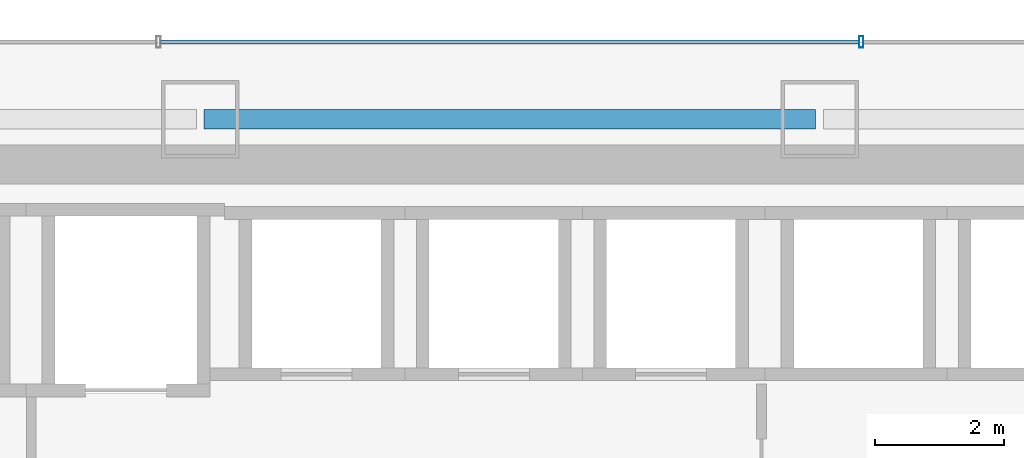
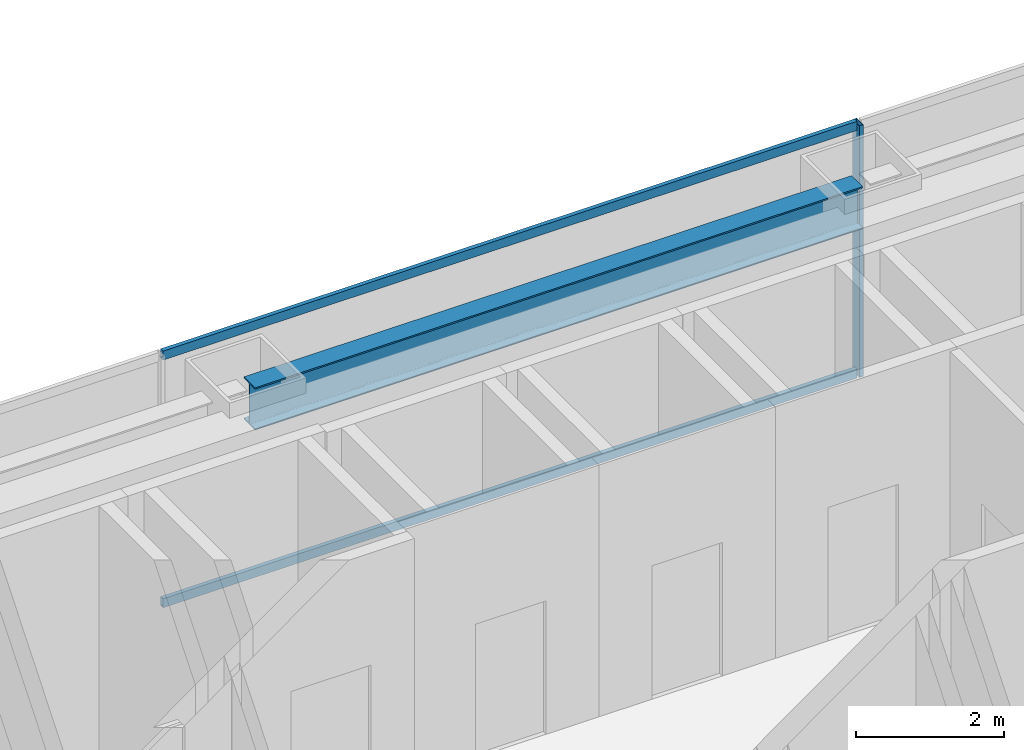
# One storey, part 28 of 47: 3 members, 1 beam, 1 element without a shape of its own.
"""IFC4 building model written with IfcOpenShell, lengths in metres."""

from ifc_helpers import new_model, si_unit, direction, frame, origin, origin_2d, place, context, subcontext, project, spatial, hollow_rectangle, i_section, extrude, material, material_profile, profile_set, type_object, element, aggregate, save


model = new_model("IFC4")

# Units and contexts
model_context = context("Model", 3, precision=1e-05, world=origin(), true_north=direction((0.0, 1.0)))
body_context = subcontext(model_context, "Body", "Model", "MODEL_VIEW")
ifc_project = project(units=[si_unit("LENGTHUNIT", "METRE"), si_unit("AREAUNIT", "SQUARE_METRE"), si_unit("VOLUMEUNIT", "CUBIC_METRE"), si_unit("PLANEANGLEUNIT", "RADIAN"), si_unit("MASSUNIT", "GRAM", prefix="KILO")], contexts=[model_context])

# Site, building, storey
site_placement = place(None, origin())
site = spatial("IfcSite", under=ifc_project, at=site_placement, CompositionType="ELEMENT")
building_placement = place(site_placement, origin())
building = spatial("IfcBuilding", under=site, at=building_placement, Name="Saevonmaru Cultural Tower", CompositionType="ELEMENT")
storey_placement = place(building_placement, frame((0.0, 0.0, 56.0)))
storey = spatial("IfcBuildingStorey", under=building, at=storey_placement, Name="L11", CompositionType="ELEMENT", Elevation=56.0)

# Beam
ifc_material_1 = material(Name="Steel SM355", Category="steel")
ifc_material_profile_1 = material_profile(ifc_material_1, i_section(OverallWidth=0.300048828125, OverallDepth=0.699951171875, WebThickness=0.012939453125, FlangeThickness=0.02392578125, FilletRadius=0.02587890625, at=origin_2d()), Name="H-700x300x13x24")
ifc_profile_set_1 = profile_set([ifc_material_profile_1], Name="Steel SM355")
beam_type = type_object("IfcBeamType", Name="BM-SP-H700", PredefinedType="SPANDREL", material=ifc_profile_set_1)
beam_placement = place(storey_placement, frame((25.260009765625, 54.800048828125, 3.800048828125), z_axis=(1.0, 0.0, 0.0), x_axis=(0.0, 1.0, 0.0)))
element("IfcBeam", 1, at=beam_placement, inside=storey, type_object=beam_type, Name="L11 North Spine Girder 3", PredefinedType="SPANDREL", context=body_context, shape_type="SweptSolid", body=[
    extrude(i_section(OverallWidth=0.300048828125, OverallDepth=0.699951171875, WebThickness=0.012939453125, FlangeThickness=0.02392578125, FilletRadius=0.02587890625, at=origin_2d()), origin(), (0.0, 0.0, 1.0), 9.47998046875),
])

# Curtain wall, members
ifc_material_2 = material(Name="Satin Bronze Anodised Aluminium", Category="aluminium")
curtain_wall_type = type_object("IfcCurtainWallType", Name="CW-TYP-A", PredefinedType="NOTDEFINED", material=ifc_material_2)
curtain_wall_placement = place(storey_placement, origin())
curtain_wall = element("IfcCurtainWall", 2, at=curtain_wall_placement, inside=storey, type_object=curtain_wall_type, Name="L11 North Spine Unitised Curtain Wall E10B", PredefinedType="NOTDEFINED")
ifc_material_profile_2 = material_profile(ifc_material_2, hollow_rectangle(XDim=0.06494140625, YDim=0.179931640625, WallThickness=0.00390625, at=origin_2d()), Name="ALU-MULL-180x65x4")
ifc_profile_set_2 = profile_set([ifc_material_profile_2], Name="Satin Bronze Anodised Aluminium")
member_type_1 = type_object("IfcMemberType", Name="ML-CW-180x65", PredefinedType="MULLION", material=ifc_profile_set_2)
member_1_placement = place(storey_placement, frame((35.44677734375, 56.0, 0.0), z_axis=(0.0, 0.0, 1.0), x_axis=(-1.0, 0.0, 0.0)))
member_1 = element("IfcMember", 3, at=member_1_placement, type_object=member_type_1, Name="CW-TW-L11-E10B mullion 2", PredefinedType="MULLION", context=body_context, shape_type="SweptSolid", body=[
    extrude(hollow_rectangle(XDim=0.06494140625, YDim=0.179931640625, WallThickness=0.00390625, at=origin_2d()), origin(), (0.0, 0.0, 1.0), 4.14990234375),
])
ifc_material_profile_3 = material_profile(ifc_material_2, hollow_rectangle(XDim=0.06494140625, YDim=0.14990234375, WallThickness=0.00390625, at=origin_2d()), Name="ALU-TRAN-150x65x4")
ifc_profile_set_3 = profile_set([ifc_material_profile_3], Name="Satin Bronze Anodised Aluminium")
member_type_2 = type_object("IfcMemberType", Name="TR-CW-150x65", PredefinedType="USERDEFINED", material=ifc_profile_set_3)
member_2_placement = place(storey_placement, frame((35.4140625, 56.0, 0.032470703125), z_axis=(-1.0, 0.0, 0.0), x_axis=(0.0, -1.0, 0.0)))
member_2 = element("IfcMember", 4, at=member_2_placement, type_object=member_type_2, Name="CW-TW-L11-E10B transom 2.1", ObjectType="TRANSOM", PredefinedType="USERDEFINED", context=body_context, shape_type="SweptSolid", body=[
    extrude(hollow_rectangle(XDim=0.06494140625, YDim=0.14990234375, WallThickness=0.00390625, at=origin_2d()), origin(), (0.0, 0.0, 1.0), 10.828125),
])
member_3_placement = place(storey_placement, frame((35.4140625, 56.0, 4.117431640625), z_axis=(-1.0, 0.0, 0.0), x_axis=(0.0, -1.0, 0.0)))
member_3 = element("IfcMember", 5, at=member_3_placement, type_object=member_type_2, Name="CW-TW-L11-E10B transom 2.2", ObjectType="TRANSOM", PredefinedType="USERDEFINED", context=body_context, shape_type="SweptSolid", body=[
    extrude(hollow_rectangle(XDim=0.06494140625, YDim=0.14990234375, WallThickness=0.00390625, at=origin_2d()), origin(), (0.0, 0.0, 1.0), 10.828125),
])
aggregate(curtain_wall, [member_1, member_2, member_3])

save(model, "model.ifc")
